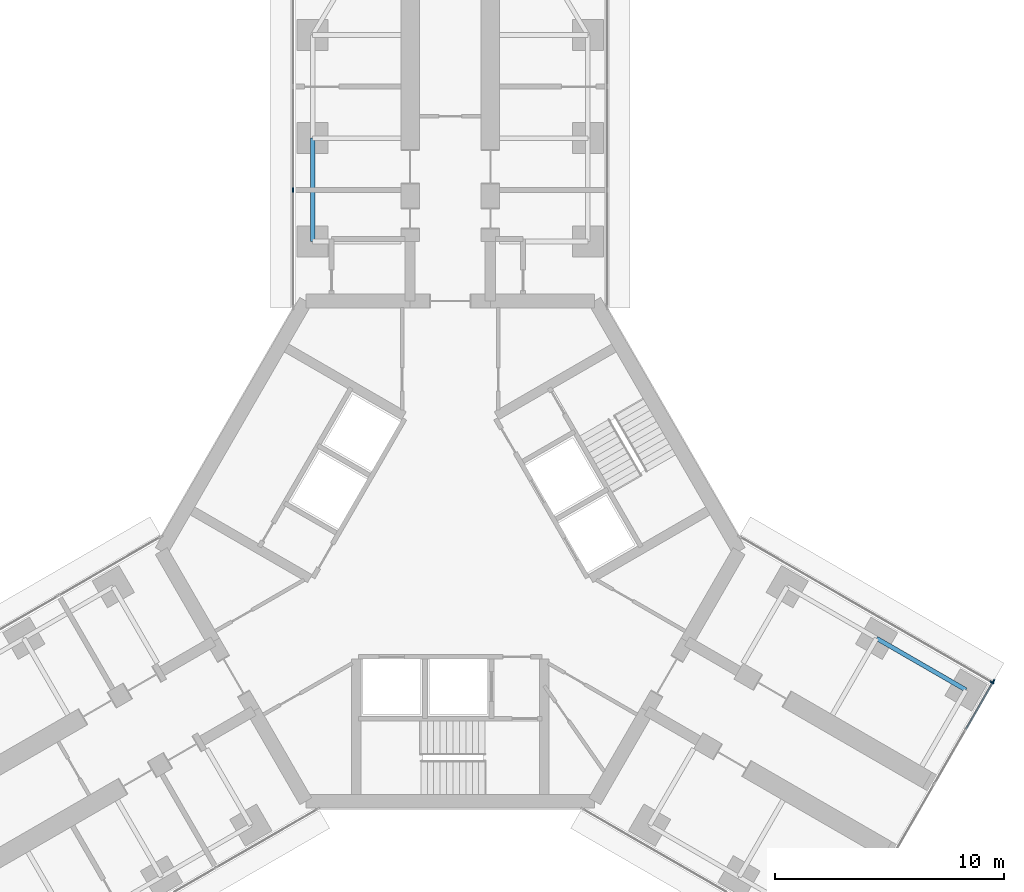
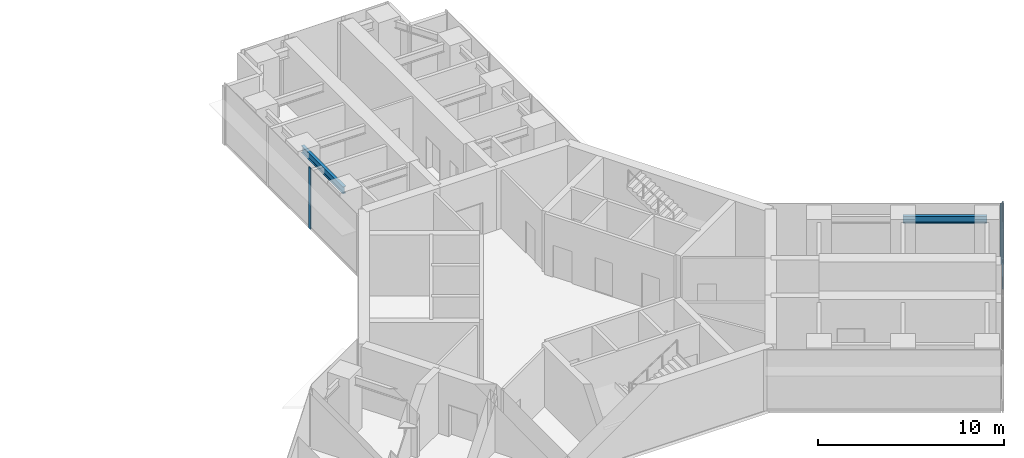
# One storey, part 11 of 21: 4 members, 2 beams, 3 elements without a shape of their own.
"""IFC4 building model written with IfcOpenShell, lengths in metres."""

from ifc_helpers import new_model, si_unit, direction, frame, origin, origin_2d, place, context, subcontext, project, spatial, rectangle, i_section, extrude, material, material_profile, profile_set, type_object, element, aggregate, save


model = new_model("IFC4")

# Units and contexts
model_context = context("Model", 3, precision=1e-05, world=origin(), true_north=direction((0.0, 1.0)))
body_context = subcontext(model_context, "Body", "Model", "MODEL_VIEW")
ifc_project = project(units=[si_unit("LENGTHUNIT", "METRE"), si_unit("AREAUNIT", "SQUARE_METRE"), si_unit("VOLUMEUNIT", "CUBIC_METRE"), si_unit("PLANEANGLEUNIT", "RADIAN"), si_unit("MASSUNIT", "GRAM", prefix="KILO")], contexts=[model_context])

# Site, building, storey
site_placement = place(None, origin())
site = spatial("IfcSite", under=ifc_project, at=site_placement, CompositionType="ELEMENT")
building_placement = place(site_placement, origin())
building = spatial("IfcBuilding", under=site, at=building_placement, Name="Upepo Twin Towers", CompositionType="ELEMENT")
storey_placement = place(building_placement, frame((0.0, 0.0, 117.5)))
storey = spatial("IfcBuildingStorey", under=building, at=storey_placement, Name="L28", CompositionType="ELEMENT", Elevation=117.5)

# Beams
ifc_material_1 = material(Name="Steel S355", Category="steel")
ifc_material_profile_1 = material_profile(ifc_material_1, i_section(OverallWidth=0.1904296875, OverallDepth=0.45703125, WebThickness=0.009033203125, FlangeThickness=0.014404296875, FilletRadius=0.01025390625, at=origin_2d()), Name="UB 457x191x74")
ifc_profile_set_1 = profile_set([ifc_material_profile_1], Name="Steel S355")
beam_type = type_object("IfcBeamType", Name="Beam UB 457x191x74", PredefinedType="BEAM", material=ifc_profile_set_1)
for number, where, z_axis, x_axis, name in (
    (1, (52.5, -4.5, 3.571533203125), (0.0, 1.0, 0.0), (-1.0, 0.0, 0.0), "T2 edge beam AL 13.5-18.0"),
    (2, (77.08837890625, -21.803955078125, 3.571533203125), (0.866031096941, -0.499990139034, 0.0), (0.499990139034, 0.866031096941, 0.0), "T2 edge beam CL 18.0-22.5"),
):
    element("IfcBeam", number, at=place(storey_placement, frame(where, z_axis=z_axis, x_axis=x_axis)), inside=storey, type_object=beam_type, Name=name, PredefinedType="BEAM", context=body_context, shape_type="SweptSolid", body=[
        extrude(i_section(OverallWidth=0.1904296875, OverallDepth=0.45703125, WebThickness=0.009033203125, FlangeThickness=0.014404296875, FilletRadius=0.01025390625, at=origin_2d()), origin(), (0.0, 0.0, 1.0), 4.5),
    ])

# Curtain wall, member
ifc_material_2 = material(Name="Aluminium and fritted glass", Category="aluminium")
curtain_wall_type = type_object("IfcCurtainWallType", Name="Tower curtain wall TW2, fritted glass", PredefinedType="NOTDEFINED", material=ifc_material_2)
curtain_wall_1_placement = place(storey_placement, origin())
curtain_wall_1 = element("IfcCurtainWall", 3, at=curtain_wall_1_placement, inside=storey, type_object=curtain_wall_type, Name="T2 L28 wing A flank L curtain wall", PredefinedType="NOTDEFINED")
ifc_material_3 = material(Name="Aluminium mullion", Category="aluminium")
ifc_material_profile_2 = material_profile(ifc_material_3, rectangle(XDim=0.06494140625, YDim=0.199951171875, at=origin_2d()), Name="MULLION 65x200")
ifc_profile_set_2 = profile_set([ifc_material_profile_2], Name="Aluminium mullion")
member_type_1 = type_object("IfcMemberType", Name="Mullion 65x200 TW2", PredefinedType="MULLION", material=ifc_profile_set_2)
member_1_placement = place(storey_placement, frame((51.64990234375, -2.25, 0.0), z_axis=(0.0, 0.0, 1.0), x_axis=(-1.0, 0.0, 0.0)))
member_1 = element("IfcMember", 4, at=member_1_placement, type_object=member_type_1, Name="T2 L28 wing A flank L curtain wall mullion 2", PredefinedType="MULLION", context=body_context, shape_type="SweptSolid", body=[
    extrude(rectangle(XDim=0.06494140625, YDim=0.199951171875, at=origin_2d()), origin(), (0.0, 0.0, 1.0), 4.0),
])
aggregate(curtain_wall_1, [member_1])

curtain_wall_2_placement = place(storey_placement, origin())
curtain_wall_2 = element("IfcCurtainWall", 5, at=curtain_wall_2_placement, inside=storey, type_object=curtain_wall_type, Name="T2 L28 wing C flank L curtain wall", PredefinedType="NOTDEFINED")
member_2_placement = place(storey_placement, frame((82.11865234375, -23.7265625, 0.0), z_axis=(0.0, 0.0, 1.0), x_axis=(0.50000000792, 0.866025399212, 0.0)))
member_2 = element("IfcMember", 6, at=member_2_placement, type_object=member_type_1, Name="T2 L28 wing C flank L curtain wall mullion 2", PredefinedType="MULLION", context=body_context, shape_type="SweptSolid", body=[
    extrude(rectangle(XDim=0.06494140625, YDim=0.199951171875, at=origin_2d()), origin(), (0.0, 0.0, 1.0), 4.0),
])
aggregate(curtain_wall_2, [member_2])

# Curtain wall, members
curtain_wall_3_placement = place(storey_placement, origin())
curtain_wall_3 = element("IfcCurtainWall", 7, at=curtain_wall_3_placement, inside=storey, type_object=curtain_wall_type, Name="T2 L28 wing C nose curtain wall", PredefinedType="NOTDEFINED")
member_3_placement = place(storey_placement, frame((82.180419921875, -23.684326171875, 0.0), z_axis=(0.0, 0.0, 1.0), x_axis=(-0.866025419745, 0.499999972355, 0.0)))
member_3 = element("IfcMember", 8, at=member_3_placement, type_object=member_type_1, Name="T2 L28 wing C nose curtain wall mullion 6", PredefinedType="MULLION", context=body_context, shape_type="SweptSolid", body=[
    extrude(rectangle(XDim=0.06494140625, YDim=0.199951171875, at=origin_2d()), origin(), (0.0, 0.0, 1.0), 4.0),
])
ifc_material_4 = material(Name="Aluminium transom", Category="aluminium")
ifc_material_profile_3 = material_profile(ifc_material_4, rectangle(XDim=0.06494140625, YDim=0.14990234375, at=origin_2d()), Name="TRANSOM 65x150")
ifc_profile_set_3 = profile_set([ifc_material_profile_3], Name="Aluminium transom")
member_type_2 = type_object("IfcMemberType", Name="Transom 65x150 TW2", PredefinedType="USERDEFINED", material=ifc_profile_set_3)
member_4_placement = place(storey_placement, frame((80.988037109375, -25.749755859375, 0.074951171875), z_axis=(0.50000093428, 0.866024864377, 0.0), x_axis=(-0.866024864377, 0.50000093428, 0.0)))
member_4 = element("IfcMember", 9, at=member_4_placement, type_object=member_type_2, Name="T2 L28 wing C nose curtain wall transom 5", ObjectType="TRANSOM", PredefinedType="USERDEFINED", context=body_context, shape_type="SweptSolid", body=[
    extrude(rectangle(XDim=0.06494140625, YDim=0.14990234375, at=origin_2d()), origin(), (0.0, 0.0, 1.0), 2.3525390625),
])
aggregate(curtain_wall_3, [member_3, member_4])

save(model, "model.ifc")
